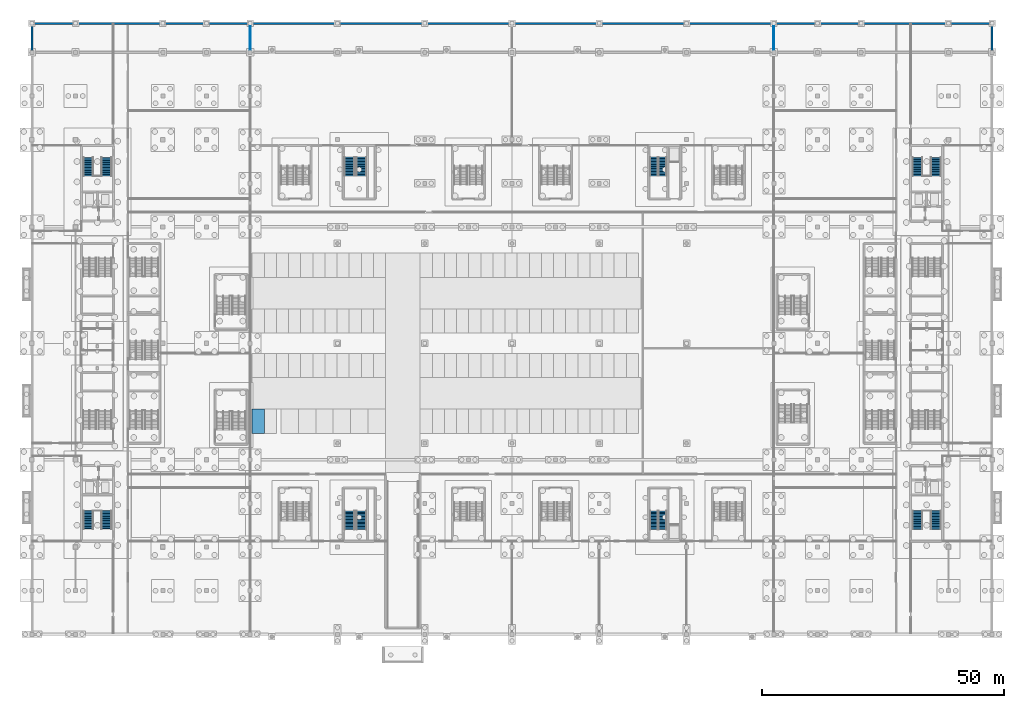
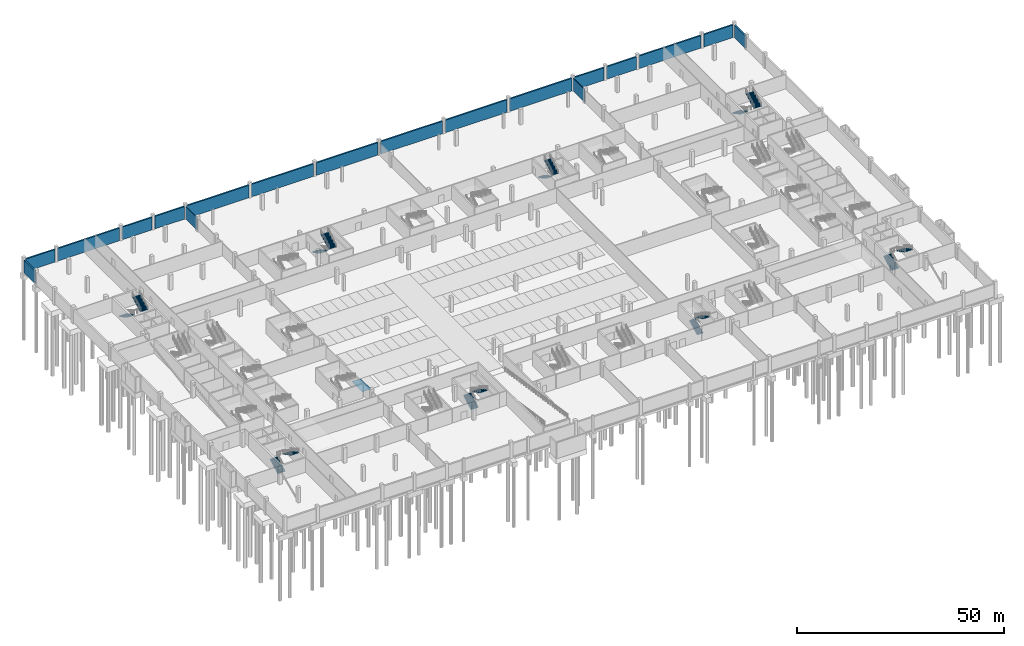
# One storey, part 26 of 46: 18 walls, 16 stair flights, 1 discrete accessory, 8 elements without a shape of their own.
"""IFC4 building model written with IfcOpenShell, lengths in metres."""

from ifc_helpers import new_model, si_unit, direction, frame, frame_2d, origin, origin_2d, place, context, subcontext, project, spatial, polyline, rectangle, outline, extrude, material, layer, layer_set, type_object, element, aggregate, save


model = new_model("IFC4")

# Units and contexts
model_context = context("Model", 3, precision=1e-05, world=origin(), true_north=direction((0.0, 1.0)))
body_context = subcontext(model_context, "Body", "Model", "MODEL_VIEW")
ifc_project = project(units=[si_unit("LENGTHUNIT", "METRE"), si_unit("AREAUNIT", "SQUARE_METRE"), si_unit("VOLUMEUNIT", "CUBIC_METRE"), si_unit("PLANEANGLEUNIT", "RADIAN"), si_unit("MASSUNIT", "GRAM", prefix="KILO")], contexts=[model_context])

# Site, building, storey
site_placement = place(None, origin())
site = spatial("IfcSite", under=ifc_project, at=site_placement, CompositionType="ELEMENT")
building_placement = place(site_placement, origin())
building = spatial("IfcBuilding", under=site, at=building_placement, Name="Kisiwana Market Hall", CompositionType="ELEMENT")
storey_placement = place(building_placement, frame((0.0, 0.0, -4.5)))
storey = spatial("IfcBuildingStorey", under=building, at=storey_placement, Name="B1", CompositionType="ELEMENT", Elevation=-4.5)

# Walls
ifc_material_1 = material(Name="Concrete C40/50", Category="concrete")
ifc_layer_1 = layer(ifc_material_1, 0.360107421875, Name="Waterproofed RC retaining wall")
ifc_material_2 = material(Name="Mineral wool insulation")
ifc_layer_2 = layer(ifc_material_2, 0.06005859375, Name="XPS drainage protection board")
ifc_layer_set_1 = layer_set([ifc_layer_1, ifc_layer_2], Name="WL-B1-RET-420")
wall_type_1 = type_object("IfcWallType", Name="WL-B1-RET-420", PredefinedType="STANDARD", material=ifc_layer_set_1)
wall_1_placement = place(storey_placement, frame((0.39208984375, 126.0, 0.0), z_axis=(0.0, 0.0, 1.0), x_axis=(1.0, 0.0, 0.0)))
element("IfcWall", 1, at=wall_1_placement, inside=storey, type_object=wall_type_1, Name="Exterior wall W-0169", PredefinedType="STANDARD", context=body_context, shape_type="SweptSolid", body=[
    extrude(rectangle(XDim=8.2158203125, YDim=0.419921875, at=frame_2d((4.10791015625, 0.0))), origin(), (0.0, 0.0, 1.0), 3.699951171875),
])
wall_2_placement = place(storey_placement, frame((9.39208984375, 126.0, 0.0), z_axis=(0.0, 0.0, 1.0), x_axis=(1.0, 0.0, 0.0)))
element("IfcWall", 2, at=wall_2_placement, inside=storey, type_object=wall_type_1, Name="Exterior wall W-0170", PredefinedType="STANDARD", context=body_context, shape_type="SweptSolid", body=[
    extrude(rectangle(XDim=17.2158203125, YDim=0.419921875, at=frame_2d((8.60791015625, 0.0))), origin(), (0.0, 0.0, 1.0), 3.699951171875),
])
for number, where, z_axis, x_axis, name in (
    (3, (27.39208984375, 126.0, 0.0), (0.0, 0.0, 1.0), (1.0, 0.0, 0.0), "Exterior wall W-0171"),
    (4, (36.39208984375, 126.0, 0.0), (0.0, 0.0, 1.0), (1.0, 0.0, 0.0), "Exterior wall W-0172"),
):
    element("IfcWall", number, at=place(storey_placement, frame(where, z_axis=z_axis, x_axis=x_axis)), inside=storey, type_object=wall_type_1, Name=name, PredefinedType="STANDARD", context=body_context, shape_type="SweptSolid", body=[
        extrude(rectangle(XDim=8.2158203125, YDim=0.419921875, at=frame_2d((4.10791015625, 0.0))), origin(), (0.0, 0.0, 1.0), 3.699951171875),
    ])
for number, where, z_axis, x_axis, name in (
    (5, (45.39208984375, 126.0, 0.0), (0.0, 0.0, 1.0), (1.0, 0.0, 0.0), "Exterior wall W-0173"),
    (6, (63.39208984375, 126.0, 0.0), (0.0, 0.0, 1.0), (1.0, 0.0, 0.0), "Exterior wall W-0174"),
    (7, (81.39208984375, 126.0, 0.0), (0.0, 0.0, 1.0), (1.0, 0.0, 0.0), "Exterior wall W-0175"),
    (8, (99.39208984375, 126.0, 0.0), (0.0, 0.0, 1.0), (1.0, 0.0, 0.0), "Exterior wall W-0176"),
    (9, (117.39208984375, 126.0, 0.0), (0.0, 0.0, 1.0), (1.0, 0.0, 0.0), "Exterior wall W-0177"),
    (10, (135.39208984375, 126.0, 0.0), (0.0, 0.0, 1.0), (1.0, 0.0, 0.0), "Exterior wall W-0178"),
):
    element("IfcWall", number, at=place(storey_placement, frame(where, z_axis=z_axis, x_axis=x_axis)), inside=storey, type_object=wall_type_1, Name=name, PredefinedType="STANDARD", context=body_context, shape_type="SweptSolid", body=[
        extrude(rectangle(XDim=17.2158203125, YDim=0.419921875, at=frame_2d((8.60791015625, 0.0))), origin(), (0.0, 0.0, 1.0), 3.699951171875),
    ])
for number, where, z_axis, x_axis, name in (
    (11, (153.39208984375, 126.0, 0.0), (0.0, 0.0, 1.0), (1.0, 0.0, 0.0), "Exterior wall W-0179"),
    (12, (162.39208984375, 126.0, 0.0), (0.0, 0.0, 1.0), (1.0, 0.0, 0.0), "Exterior wall W-0180"),
):
    element("IfcWall", number, at=place(storey_placement, frame(where, z_axis=z_axis, x_axis=x_axis)), inside=storey, type_object=wall_type_1, Name=name, PredefinedType="STANDARD", context=body_context, shape_type="SweptSolid", body=[
        extrude(rectangle(XDim=8.2158203125, YDim=0.419921875, at=frame_2d((4.10791015625, 0.0))), origin(), (0.0, 0.0, 1.0), 3.699951171875),
    ])
wall_3_placement = place(storey_placement, frame((171.39208984375, 126.0, 0.0), z_axis=(0.0, 0.0, 1.0), x_axis=(1.0, 0.0, 0.0)))
element("IfcWall", 13, at=wall_3_placement, inside=storey, type_object=wall_type_1, Name="Exterior wall W-0181", PredefinedType="STANDARD", context=body_context, shape_type="SweptSolid", body=[
    extrude(rectangle(XDim=17.2158203125, YDim=0.419921875, at=frame_2d((8.60791015625, 0.0))), origin(), (0.0, 0.0, 1.0), 3.699951171875),
])
wall_4_placement = place(storey_placement, frame((189.39208984375, 126.0, 0.0), z_axis=(0.0, 0.0, 1.0), x_axis=(1.0, 0.0, 0.0)))
element("IfcWall", 14, at=wall_4_placement, inside=storey, type_object=wall_type_1, Name="Exterior wall W-0182", PredefinedType="STANDARD", context=body_context, shape_type="SweptSolid", body=[
    extrude(rectangle(XDim=8.2158203125, YDim=0.419921875, at=frame_2d((4.10791015625, 0.0))), origin(), (0.0, 0.0, 1.0), 3.699951171875),
])
for number, where, z_axis, x_axis, name in (
    (15, (0.0, 120.39208984375, 0.0), (0.0, 0.0, 1.0), (0.0, 1.0, 0.0), "Exterior wall W-0191"),
    (16, (198.0, 120.39208984375, 0.0), (0.0, 0.0, 1.0), (0.0, 1.0, 0.0), "Exterior wall W-0200"),
):
    element("IfcWall", number, at=place(storey_placement, frame(where, z_axis=z_axis, x_axis=x_axis)), inside=storey, type_object=wall_type_1, Name=name, PredefinedType="STANDARD", context=body_context, shape_type="SweptSolid", body=[
        extrude(rectangle(XDim=5.2158203125, YDim=0.419921875, at=frame_2d((2.60791015625, 0.0))), origin(), (0.0, 0.0, 1.0), 3.699951171875),
    ])
ifc_material_3 = material(Name="Masonry blockwork", Category="masonry")
ifc_layer_3 = layer(ifc_material_3, 0.169921875, Name="Protected corridor partition")
ifc_layer_set_2 = layer_set([ifc_layer_3], Name="WL-CORR-170")
wall_type_2 = type_object("IfcWallType", Name="WL-CORR-170", PredefinedType="PARTITIONING", material=ifc_layer_set_2)
for number, where, z_axis, x_axis, name in (
    (17, (45.0, 120.219970703125, 0.0), (0.0, 0.0, 1.0), (0.0, 1.0, 0.0), "Interior partition W-0236"),
    (18, (153.0, 120.219970703125, 0.0), (0.0, 0.0, 1.0), (0.0, 1.0, 0.0), "Interior partition W-0268"),
):
    element("IfcWall", number, at=place(storey_placement, frame(where, z_axis=z_axis, x_axis=x_axis)), inside=storey, type_object=wall_type_2, Name=name, PredefinedType="PARTITIONING", context=body_context, shape_type="SweptSolid", body=[
        extrude(rectangle(XDim=5.56005859375, YDim=0.169921875, at=frame_2d((2.780029296875, 0.0))), origin(), (0.0, 0.0, 1.0), 3.708984375),
    ])

# Stair, stair flights
ifc_material_4 = material(Name="Concrete C32/40", Category="concrete")
stair_type = type_object("IfcStairType", Name="ST-POD-4500", PredefinedType="TWO_STRAIGHT_RUN_STAIR", material=ifc_material_4)
stair_1_placement = place(storey_placement, origin())
stair_1 = element("IfcStair", 19, at=stair_1_placement, inside=storey, type_object=stair_type, Name="Escape stair ST-W2-B1", PredefinedType="TWO_STRAIGHT_RUN_STAIR")
ifc_material_5 = material(Name="Concrete C32/40", Category="concrete")
stair_flight_type = type_object("IfcStairFlightType", Name="SF-POD-4500", PredefinedType="STRAIGHT", material=ifc_material_5)
stair_flight_1_placement = place(storey_placement, frame((11.625, 21.674560546875, 0.0), z_axis=(0.0, 0.0, 1.0), x_axis=(0.0, 1.0, 0.0)))
stair_flight_1 = element("IfcStairFlight", 20, at=stair_flight_1_placement, type_object=stair_flight_type, Name="ST-W2-B1 flight 1", NumberOfRisers=14, NumberOfTreads=13, PredefinedType="STRAIGHT", RiserHeight=0.160714, TreadLength=0.295, context=body_context, shape_type="SweptSolid", body=[
    extrude(outline(polyline([(0.0, 0.0), (0.0, 0.16064453125), (0.294921875, 0.16064453125), (0.294921875, 0.321533203125), (0.590087890625, 0.321533203125), (0.590087890625, 0.482177734375), (0.885009765625, 0.482177734375), (0.885009765625, 0.642822265625), (1.179931640625, 0.642822265625), (1.179931640625, 0.803466796875), (1.47509765625, 0.803466796875), (1.47509765625, 0.96435546875), (1.77001953125, 0.96435546875), (1.77001953125, 1.125), (2.06494140625, 1.125), (2.06494140625, 1.28564453125), (2.360107421875, 1.28564453125), (2.360107421875, 1.446533203125), (2.655029296875, 1.446533203125), (2.655029296875, 1.607177734375), (2.949951171875, 1.607177734375), (2.949951171875, 1.767822265625), (3.2451171875, 1.767822265625), (3.2451171875, 1.928466796875), (3.5400390625, 1.928466796875), (3.5400390625, 2.08935546875), (3.8349609375, 2.08935546875), (3.8349609375, 2.25), (3.8349609375, 1.88427734375), (0.376220703125, 0.0), (0.0, 0.0)])), frame((0.0, 1.050048828125, 0.0), z_axis=(0.0, -1.0, 0.0), x_axis=(1.0, 0.0, 0.0)), (0.0, 0.0, 1.0), 2.10009765625),
])
stair_flight_2_placement = place(storey_placement, frame((15.375, 25.509521484375, 2.25), z_axis=(0.0, 0.0, 1.0), x_axis=(0.0, -1.0, 0.0)))
stair_flight_2 = element("IfcStairFlight", 21, at=stair_flight_2_placement, type_object=stair_flight_type, Name="ST-W2-B1 flight 2", NumberOfRisers=14, NumberOfTreads=13, PredefinedType="STRAIGHT", RiserHeight=0.160714, TreadLength=0.295, context=body_context, shape_type="SweptSolid", body=[
    extrude(outline(polyline([(0.0, 0.0), (0.0, 0.16064453125), (0.294921875, 0.16064453125), (0.294921875, 0.321533203125), (0.590087890625, 0.321533203125), (0.590087890625, 0.482177734375), (0.885009765625, 0.482177734375), (0.885009765625, 0.642822265625), (1.179931640625, 0.642822265625), (1.179931640625, 0.803466796875), (1.47509765625, 0.803466796875), (1.47509765625, 0.96435546875), (1.77001953125, 0.96435546875), (1.77001953125, 1.125), (2.06494140625, 1.125), (2.06494140625, 1.28564453125), (2.360107421875, 1.28564453125), (2.360107421875, 1.446533203125), (2.655029296875, 1.446533203125), (2.655029296875, 1.607177734375), (2.949951171875, 1.607177734375), (2.949951171875, 1.767822265625), (3.2451171875, 1.767822265625), (3.2451171875, 1.928466796875), (3.5400390625, 1.928466796875), (3.5400390625, 2.08935546875), (3.8349609375, 2.08935546875), (3.8349609375, 2.25), (3.8349609375, 1.88427734375), (0.376220703125, 0.0), (0.0, 0.0)])), frame((0.0, 1.050048828125, 0.0), z_axis=(0.0, -1.0, 0.0), x_axis=(1.0, 0.0, 0.0)), (0.0, 0.0, 1.0), 2.10009765625),
])
aggregate(stair_1, [stair_flight_1, stair_flight_2])

stair_2_placement = place(storey_placement, origin())
stair_2 = element("IfcStair", 22, at=stair_2_placement, inside=storey, type_object=stair_type, Name="Escape stair ST-W1-B1", PredefinedType="TWO_STRAIGHT_RUN_STAIR")
stair_flight_3_placement = place(storey_placement, frame((11.625, 98.325439453125, 0.0), z_axis=(0.0, 0.0, 1.0), x_axis=(0.0, -1.0, 0.0)))
stair_flight_3 = element("IfcStairFlight", 23, at=stair_flight_3_placement, type_object=stair_flight_type, Name="ST-W1-B1 flight 1", NumberOfRisers=14, NumberOfTreads=13, PredefinedType="STRAIGHT", RiserHeight=0.160714, TreadLength=0.295, context=body_context, shape_type="SweptSolid", body=[
    extrude(outline(polyline([(0.0, 0.0), (0.0, 0.16064453125), (0.294921875, 0.16064453125), (0.294921875, 0.321533203125), (0.590087890625, 0.321533203125), (0.590087890625, 0.482177734375), (0.885009765625, 0.482177734375), (0.885009765625, 0.642822265625), (1.179931640625, 0.642822265625), (1.179931640625, 0.803466796875), (1.47509765625, 0.803466796875), (1.47509765625, 0.96435546875), (1.77001953125, 0.96435546875), (1.77001953125, 1.125), (2.06494140625, 1.125), (2.06494140625, 1.28564453125), (2.360107421875, 1.28564453125), (2.360107421875, 1.446533203125), (2.655029296875, 1.446533203125), (2.655029296875, 1.607177734375), (2.949951171875, 1.607177734375), (2.949951171875, 1.767822265625), (3.2451171875, 1.767822265625), (3.2451171875, 1.928466796875), (3.5400390625, 1.928466796875), (3.5400390625, 2.08935546875), (3.8349609375, 2.08935546875), (3.8349609375, 2.25), (3.8349609375, 1.88427734375), (0.376220703125, 0.0), (0.0, 0.0)])), frame((0.0, 1.050048828125, 0.0), z_axis=(0.0, -1.0, 0.0), x_axis=(1.0, 0.0, 0.0)), (0.0, 0.0, 1.0), 2.10009765625),
])
stair_flight_4_placement = place(storey_placement, frame((15.375, 94.490478515625, 2.25), z_axis=(0.0, 0.0, 1.0), x_axis=(0.0, 1.0, 0.0)))
stair_flight_4 = element("IfcStairFlight", 24, at=stair_flight_4_placement, type_object=stair_flight_type, Name="ST-W1-B1 flight 2", NumberOfRisers=14, NumberOfTreads=13, PredefinedType="STRAIGHT", RiserHeight=0.160714, TreadLength=0.295, context=body_context, shape_type="SweptSolid", body=[
    extrude(outline(polyline([(0.0, 0.0), (0.0, 0.16064453125), (0.294921875, 0.16064453125), (0.294921875, 0.321533203125), (0.590087890625, 0.321533203125), (0.590087890625, 0.482177734375), (0.885009765625, 0.482177734375), (0.885009765625, 0.642822265625), (1.179931640625, 0.642822265625), (1.179931640625, 0.803466796875), (1.47509765625, 0.803466796875), (1.47509765625, 0.96435546875), (1.77001953125, 0.96435546875), (1.77001953125, 1.125), (2.06494140625, 1.125), (2.06494140625, 1.28564453125), (2.360107421875, 1.28564453125), (2.360107421875, 1.446533203125), (2.655029296875, 1.446533203125), (2.655029296875, 1.607177734375), (2.949951171875, 1.607177734375), (2.949951171875, 1.767822265625), (3.2451171875, 1.767822265625), (3.2451171875, 1.928466796875), (3.5400390625, 1.928466796875), (3.5400390625, 2.08935546875), (3.8349609375, 2.08935546875), (3.8349609375, 2.25), (3.8349609375, 1.88427734375), (0.376220703125, 0.0), (0.0, 0.0)])), frame((0.0, 1.050048828125, 0.0), z_axis=(0.0, -1.0, 0.0), x_axis=(1.0, 0.0, 0.0)), (0.0, 0.0, 1.0), 2.10009765625),
])
aggregate(stair_2, [stair_flight_3, stair_flight_4])

stair_3_placement = place(storey_placement, origin())
stair_3 = element("IfcStair", 25, at=stair_3_placement, inside=storey, type_object=stair_type, Name="Escape stair ST-E2-B1", PredefinedType="TWO_STRAIGHT_RUN_STAIR")
stair_flight_5_placement = place(storey_placement, frame((182.60009765625, 21.6494140625, 0.0), z_axis=(0.0, 0.0, 1.0), x_axis=(0.0, 1.0, 0.0)))
stair_flight_5 = element("IfcStairFlight", 26, at=stair_flight_5_placement, type_object=stair_flight_type, Name="ST-E2-B1 flight 1", NumberOfRisers=14, NumberOfTreads=13, PredefinedType="STRAIGHT", RiserHeight=0.160714, TreadLength=0.295, context=body_context, shape_type="SweptSolid", body=[
    extrude(outline(polyline([(0.0, 0.0), (0.0, 0.16064453125), (0.294921875, 0.16064453125), (0.294921875, 0.321533203125), (0.590087890625, 0.321533203125), (0.590087890625, 0.482177734375), (0.885009765625, 0.482177734375), (0.885009765625, 0.642822265625), (1.179931640625, 0.642822265625), (1.179931640625, 0.803466796875), (1.47509765625, 0.803466796875), (1.47509765625, 0.96435546875), (1.77001953125, 0.96435546875), (1.77001953125, 1.125), (2.06494140625, 1.125), (2.06494140625, 1.28564453125), (2.360107421875, 1.28564453125), (2.360107421875, 1.446533203125), (2.655029296875, 1.446533203125), (2.655029296875, 1.607177734375), (2.949951171875, 1.607177734375), (2.949951171875, 1.767822265625), (3.2451171875, 1.767822265625), (3.2451171875, 1.928466796875), (3.5400390625, 1.928466796875), (3.5400390625, 2.08935546875), (3.8349609375, 2.08935546875), (3.8349609375, 2.25), (3.8349609375, 1.88427734375), (0.376220703125, 0.0), (0.0, 0.0)])), frame((0.0, 1.050048828125, 0.0), z_axis=(0.0, -1.0, 0.0), x_axis=(1.0, 0.0, 0.0)), (0.0, 0.0, 1.0), 2.10009765625),
])
stair_flight_6_placement = place(storey_placement, frame((186.39990234375, 25.484619140625, 2.25), z_axis=(0.0, 0.0, 1.0), x_axis=(0.0, -1.0, 0.0)))
stair_flight_6 = element("IfcStairFlight", 27, at=stair_flight_6_placement, type_object=stair_flight_type, Name="ST-E2-B1 flight 2", NumberOfRisers=14, NumberOfTreads=13, PredefinedType="STRAIGHT", RiserHeight=0.160714, TreadLength=0.295, context=body_context, shape_type="SweptSolid", body=[
    extrude(outline(polyline([(0.0, 0.0), (0.0, 0.16064453125), (0.294921875, 0.16064453125), (0.294921875, 0.321533203125), (0.590087890625, 0.321533203125), (0.590087890625, 0.482177734375), (0.885009765625, 0.482177734375), (0.885009765625, 0.642822265625), (1.179931640625, 0.642822265625), (1.179931640625, 0.803466796875), (1.47509765625, 0.803466796875), (1.47509765625, 0.96435546875), (1.77001953125, 0.96435546875), (1.77001953125, 1.125), (2.06494140625, 1.125), (2.06494140625, 1.28564453125), (2.360107421875, 1.28564453125), (2.360107421875, 1.446533203125), (2.655029296875, 1.446533203125), (2.655029296875, 1.607177734375), (2.949951171875, 1.607177734375), (2.949951171875, 1.767822265625), (3.2451171875, 1.767822265625), (3.2451171875, 1.928466796875), (3.5400390625, 1.928466796875), (3.5400390625, 2.08935546875), (3.8349609375, 2.08935546875), (3.8349609375, 2.25), (3.8349609375, 1.88427734375), (0.376220703125, 0.0), (0.0, 0.0)])), frame((0.0, 1.050048828125, 0.0), z_axis=(0.0, -1.0, 0.0), x_axis=(1.0, 0.0, 0.0)), (0.0, 0.0, 1.0), 2.10009765625),
])
aggregate(stair_3, [stair_flight_5, stair_flight_6])

stair_4_placement = place(storey_placement, origin())
stair_4 = element("IfcStair", 28, at=stair_4_placement, inside=storey, type_object=stair_type, Name="Escape stair ST-E1-B1", PredefinedType="TWO_STRAIGHT_RUN_STAIR")
stair_flight_7_placement = place(storey_placement, frame((182.60009765625, 98.3505859375, 0.0), z_axis=(0.0, 0.0, 1.0), x_axis=(0.0, -1.0, 0.0)))
stair_flight_7 = element("IfcStairFlight", 29, at=stair_flight_7_placement, type_object=stair_flight_type, Name="ST-E1-B1 flight 1", NumberOfRisers=14, NumberOfTreads=13, PredefinedType="STRAIGHT", RiserHeight=0.160714, TreadLength=0.295, context=body_context, shape_type="SweptSolid", body=[
    extrude(outline(polyline([(0.0, 0.0), (0.0, 0.16064453125), (0.294921875, 0.16064453125), (0.294921875, 0.321533203125), (0.590087890625, 0.321533203125), (0.590087890625, 0.482177734375), (0.885009765625, 0.482177734375), (0.885009765625, 0.642822265625), (1.179931640625, 0.642822265625), (1.179931640625, 0.803466796875), (1.47509765625, 0.803466796875), (1.47509765625, 0.96435546875), (1.77001953125, 0.96435546875), (1.77001953125, 1.125), (2.06494140625, 1.125), (2.06494140625, 1.28564453125), (2.360107421875, 1.28564453125), (2.360107421875, 1.446533203125), (2.655029296875, 1.446533203125), (2.655029296875, 1.607177734375), (2.949951171875, 1.607177734375), (2.949951171875, 1.767822265625), (3.2451171875, 1.767822265625), (3.2451171875, 1.928466796875), (3.5400390625, 1.928466796875), (3.5400390625, 2.08935546875), (3.8349609375, 2.08935546875), (3.8349609375, 2.25), (3.8349609375, 1.88427734375), (0.376220703125, 0.0), (0.0, 0.0)])), frame((0.0, 1.050048828125, 0.0), z_axis=(0.0, -1.0, 0.0), x_axis=(1.0, 0.0, 0.0)), (0.0, 0.0, 1.0), 2.10009765625),
])
stair_flight_8_placement = place(storey_placement, frame((186.39990234375, 94.515380859375, 2.25), z_axis=(0.0, 0.0, 1.0), x_axis=(0.0, 1.0, 0.0)))
stair_flight_8 = element("IfcStairFlight", 30, at=stair_flight_8_placement, type_object=stair_flight_type, Name="ST-E1-B1 flight 2", NumberOfRisers=14, NumberOfTreads=13, PredefinedType="STRAIGHT", RiserHeight=0.160714, TreadLength=0.295, context=body_context, shape_type="SweptSolid", body=[
    extrude(outline(polyline([(0.0, 0.0), (0.0, 0.16064453125), (0.294921875, 0.16064453125), (0.294921875, 0.321533203125), (0.590087890625, 0.321533203125), (0.590087890625, 0.482177734375), (0.885009765625, 0.482177734375), (0.885009765625, 0.642822265625), (1.179931640625, 0.642822265625), (1.179931640625, 0.803466796875), (1.47509765625, 0.803466796875), (1.47509765625, 0.96435546875), (1.77001953125, 0.96435546875), (1.77001953125, 1.125), (2.06494140625, 1.125), (2.06494140625, 1.28564453125), (2.360107421875, 1.28564453125), (2.360107421875, 1.446533203125), (2.655029296875, 1.446533203125), (2.655029296875, 1.607177734375), (2.949951171875, 1.607177734375), (2.949951171875, 1.767822265625), (3.2451171875, 1.767822265625), (3.2451171875, 1.928466796875), (3.5400390625, 1.928466796875), (3.5400390625, 2.08935546875), (3.8349609375, 2.08935546875), (3.8349609375, 2.25), (3.8349609375, 1.88427734375), (0.376220703125, 0.0), (0.0, 0.0)])), frame((0.0, 1.050048828125, 0.0), z_axis=(0.0, -1.0, 0.0), x_axis=(1.0, 0.0, 0.0)), (0.0, 0.0, 1.0), 2.10009765625),
])
aggregate(stair_4, [stair_flight_7, stair_flight_8])

stair_5_placement = place(storey_placement, origin())
stair_5 = element("IfcStair", 31, at=stair_5_placement, inside=storey, type_object=stair_type, Name="Escape stair ST-S1-B1", PredefinedType="TWO_STRAIGHT_RUN_STAIR")
stair_flight_9_placement = place(storey_placement, frame((65.489990234375, 21.62939453125, 0.0), z_axis=(0.0, 0.0, 1.0), x_axis=(0.0, 1.0, 0.0)))
stair_flight_9 = element("IfcStairFlight", 32, at=stair_flight_9_placement, type_object=stair_flight_type, Name="ST-S1-B1 flight 1", NumberOfRisers=14, NumberOfTreads=13, PredefinedType="STRAIGHT", RiserHeight=0.160714, TreadLength=0.295, context=body_context, shape_type="SweptSolid", body=[
    extrude(outline(polyline([(0.0, 0.0), (0.0, 0.16064453125), (0.294921875, 0.16064453125), (0.294921875, 0.321533203125), (0.590087890625, 0.321533203125), (0.590087890625, 0.482177734375), (0.885009765625, 0.482177734375), (0.885009765625, 0.642822265625), (1.179931640625, 0.642822265625), (1.179931640625, 0.803466796875), (1.47509765625, 0.803466796875), (1.47509765625, 0.96435546875), (1.77001953125, 0.96435546875), (1.77001953125, 1.125), (2.06494140625, 1.125), (2.06494140625, 1.28564453125), (2.360107421875, 1.28564453125), (2.360107421875, 1.446533203125), (2.655029296875, 1.446533203125), (2.655029296875, 1.607177734375), (2.949951171875, 1.607177734375), (2.949951171875, 1.767822265625), (3.2451171875, 1.767822265625), (3.2451171875, 1.928466796875), (3.5400390625, 1.928466796875), (3.5400390625, 2.08935546875), (3.8349609375, 2.08935546875), (3.8349609375, 2.25), (3.8349609375, 1.88427734375), (0.376220703125, 0.0), (0.0, 0.0)])), frame((0.0, 1.050048828125, 0.0), z_axis=(0.0, -1.0, 0.0), x_axis=(1.0, 0.0, 0.0)), (0.0, 0.0, 1.0), 2.10009765625),
])
stair_flight_10_placement = place(storey_placement, frame((67.969970703125, 25.464599609375, 2.25), z_axis=(0.0, 0.0, 1.0), x_axis=(0.0, -1.0, 0.0)))
stair_flight_10 = element("IfcStairFlight", 33, at=stair_flight_10_placement, type_object=stair_flight_type, Name="ST-S1-B1 flight 2", NumberOfRisers=14, NumberOfTreads=13, PredefinedType="STRAIGHT", RiserHeight=0.160714, TreadLength=0.295, context=body_context, shape_type="SweptSolid", body=[
    extrude(outline(polyline([(0.0, 0.0), (0.0, 0.16064453125), (0.294921875, 0.16064453125), (0.294921875, 0.321533203125), (0.590087890625, 0.321533203125), (0.590087890625, 0.482177734375), (0.885009765625, 0.482177734375), (0.885009765625, 0.642822265625), (1.179931640625, 0.642822265625), (1.179931640625, 0.803466796875), (1.47509765625, 0.803466796875), (1.47509765625, 0.96435546875), (1.77001953125, 0.96435546875), (1.77001953125, 1.125), (2.06494140625, 1.125), (2.06494140625, 1.28564453125), (2.360107421875, 1.28564453125), (2.360107421875, 1.446533203125), (2.655029296875, 1.446533203125), (2.655029296875, 1.607177734375), (2.949951171875, 1.607177734375), (2.949951171875, 1.767822265625), (3.2451171875, 1.767822265625), (3.2451171875, 1.928466796875), (3.5400390625, 1.928466796875), (3.5400390625, 2.08935546875), (3.8349609375, 2.08935546875), (3.8349609375, 2.25), (3.8349609375, 1.88427734375), (0.376220703125, 0.0), (0.0, 0.0)])), frame((0.0, 1.050048828125, 0.0), z_axis=(0.0, -1.0, 0.0), x_axis=(1.0, 0.0, 0.0)), (0.0, 0.0, 1.0), 2.10009765625),
])
aggregate(stair_5, [stair_flight_9, stair_flight_10])

stair_6_placement = place(storey_placement, origin())
stair_6 = element("IfcStair", 34, at=stair_6_placement, inside=storey, type_object=stair_type, Name="Escape stair ST-S2-B1", PredefinedType="TWO_STRAIGHT_RUN_STAIR")
stair_flight_11_placement = place(storey_placement, frame((128.280029296875, 21.62939453125, 0.0), z_axis=(0.0, 0.0, 1.0), x_axis=(0.0, 1.0, 0.0)))
stair_flight_11 = element("IfcStairFlight", 35, at=stair_flight_11_placement, type_object=stair_flight_type, Name="ST-S2-B1 flight 1", NumberOfRisers=14, NumberOfTreads=13, PredefinedType="STRAIGHT", RiserHeight=0.160714, TreadLength=0.295, context=body_context, shape_type="SweptSolid", body=[
    extrude(outline(polyline([(0.0, 0.0), (0.0, 0.16064453125), (0.294921875, 0.16064453125), (0.294921875, 0.321533203125), (0.590087890625, 0.321533203125), (0.590087890625, 0.482177734375), (0.885009765625, 0.482177734375), (0.885009765625, 0.642822265625), (1.179931640625, 0.642822265625), (1.179931640625, 0.803466796875), (1.47509765625, 0.803466796875), (1.47509765625, 0.96435546875), (1.77001953125, 0.96435546875), (1.77001953125, 1.125), (2.06494140625, 1.125), (2.06494140625, 1.28564453125), (2.360107421875, 1.28564453125), (2.360107421875, 1.446533203125), (2.655029296875, 1.446533203125), (2.655029296875, 1.607177734375), (2.949951171875, 1.607177734375), (2.949951171875, 1.767822265625), (3.2451171875, 1.767822265625), (3.2451171875, 1.928466796875), (3.5400390625, 1.928466796875), (3.5400390625, 2.08935546875), (3.8349609375, 2.08935546875), (3.8349609375, 2.25), (3.8349609375, 1.88427734375), (0.376220703125, 0.0), (0.0, 0.0)])), frame((0.0, 0.83984375, 0.0), z_axis=(0.0, -1.0, 0.0), x_axis=(1.0, 0.0, 0.0)), (0.0, 0.0, 1.0), 1.679931640625),
])
stair_flight_12_placement = place(storey_placement, frame((130.080078125, 25.464599609375, 2.25), z_axis=(0.0, 0.0, 1.0), x_axis=(0.0, -1.0, 0.0)))
stair_flight_12 = element("IfcStairFlight", 36, at=stair_flight_12_placement, type_object=stair_flight_type, Name="ST-S2-B1 flight 2", NumberOfRisers=14, NumberOfTreads=13, PredefinedType="STRAIGHT", RiserHeight=0.160714, TreadLength=0.295, context=body_context, shape_type="SweptSolid", body=[
    extrude(outline(polyline([(0.0, 0.0), (0.0, 0.16064453125), (0.294921875, 0.16064453125), (0.294921875, 0.321533203125), (0.590087890625, 0.321533203125), (0.590087890625, 0.482177734375), (0.885009765625, 0.482177734375), (0.885009765625, 0.642822265625), (1.179931640625, 0.642822265625), (1.179931640625, 0.803466796875), (1.47509765625, 0.803466796875), (1.47509765625, 0.96435546875), (1.77001953125, 0.96435546875), (1.77001953125, 1.125), (2.06494140625, 1.125), (2.06494140625, 1.28564453125), (2.360107421875, 1.28564453125), (2.360107421875, 1.446533203125), (2.655029296875, 1.446533203125), (2.655029296875, 1.607177734375), (2.949951171875, 1.607177734375), (2.949951171875, 1.767822265625), (3.2451171875, 1.767822265625), (3.2451171875, 1.928466796875), (3.5400390625, 1.928466796875), (3.5400390625, 2.08935546875), (3.8349609375, 2.08935546875), (3.8349609375, 2.25), (3.8349609375, 1.88427734375), (0.376220703125, 0.0), (0.0, 0.0)])), frame((0.0, 0.83984375, 0.0), z_axis=(0.0, -1.0, 0.0), x_axis=(1.0, 0.0, 0.0)), (0.0, 0.0, 1.0), 1.679931640625),
])
aggregate(stair_6, [stair_flight_11, stair_flight_12])

stair_7_placement = place(storey_placement, origin())
stair_7 = element("IfcStair", 37, at=stair_7_placement, inside=storey, type_object=stair_type, Name="Escape stair ST-N1-B1", PredefinedType="TWO_STRAIGHT_RUN_STAIR")
stair_flight_13_placement = place(storey_placement, frame((65.469970703125, 98.390380859375, 0.0), z_axis=(0.0, 0.0, 1.0), x_axis=(0.0, -1.0, 0.0)))
stair_flight_13 = element("IfcStairFlight", 38, at=stair_flight_13_placement, type_object=stair_flight_type, Name="ST-N1-B1 flight 1", NumberOfRisers=14, NumberOfTreads=13, PredefinedType="STRAIGHT", RiserHeight=0.160714, TreadLength=0.295, context=body_context, shape_type="SweptSolid", body=[
    extrude(outline(polyline([(0.0, 0.0), (0.0, 0.16064453125), (0.294921875, 0.16064453125), (0.294921875, 0.321533203125), (0.590087890625, 0.321533203125), (0.590087890625, 0.482177734375), (0.885009765625, 0.482177734375), (0.885009765625, 0.642822265625), (1.179931640625, 0.642822265625), (1.179931640625, 0.803466796875), (1.47509765625, 0.803466796875), (1.47509765625, 0.96435546875), (1.77001953125, 0.96435546875), (1.77001953125, 1.125), (2.06494140625, 1.125), (2.06494140625, 1.28564453125), (2.360107421875, 1.28564453125), (2.360107421875, 1.446533203125), (2.655029296875, 1.446533203125), (2.655029296875, 1.607177734375), (2.949951171875, 1.607177734375), (2.949951171875, 1.767822265625), (3.2451171875, 1.767822265625), (3.2451171875, 1.928466796875), (3.5400390625, 1.928466796875), (3.5400390625, 2.08935546875), (3.8349609375, 2.08935546875), (3.8349609375, 2.25), (3.8349609375, 1.88427734375), (0.376220703125, 0.0), (0.0, 0.0)])), frame((0.0, 1.050048828125, 0.0), z_axis=(0.0, -1.0, 0.0), x_axis=(1.0, 0.0, 0.0)), (0.0, 0.0, 1.0), 2.10009765625),
])
stair_flight_14_placement = place(storey_placement, frame((67.949951171875, 94.555419921875, 2.25), z_axis=(0.0, 0.0, 1.0), x_axis=(0.0, 1.0, 0.0)))
stair_flight_14 = element("IfcStairFlight", 39, at=stair_flight_14_placement, type_object=stair_flight_type, Name="ST-N1-B1 flight 2", NumberOfRisers=14, NumberOfTreads=13, PredefinedType="STRAIGHT", RiserHeight=0.160714, TreadLength=0.295, context=body_context, shape_type="SweptSolid", body=[
    extrude(outline(polyline([(0.0, 0.0), (0.0, 0.16064453125), (0.294921875, 0.16064453125), (0.294921875, 0.321533203125), (0.590087890625, 0.321533203125), (0.590087890625, 0.482177734375), (0.885009765625, 0.482177734375), (0.885009765625, 0.642822265625), (1.179931640625, 0.642822265625), (1.179931640625, 0.803466796875), (1.47509765625, 0.803466796875), (1.47509765625, 0.96435546875), (1.77001953125, 0.96435546875), (1.77001953125, 1.125), (2.06494140625, 1.125), (2.06494140625, 1.28564453125), (2.360107421875, 1.28564453125), (2.360107421875, 1.446533203125), (2.655029296875, 1.446533203125), (2.655029296875, 1.607177734375), (2.949951171875, 1.607177734375), (2.949951171875, 1.767822265625), (3.2451171875, 1.767822265625), (3.2451171875, 1.928466796875), (3.5400390625, 1.928466796875), (3.5400390625, 2.08935546875), (3.8349609375, 2.08935546875), (3.8349609375, 2.25), (3.8349609375, 1.88427734375), (0.376220703125, 0.0), (0.0, 0.0)])), frame((0.0, 1.050048828125, 0.0), z_axis=(0.0, -1.0, 0.0), x_axis=(1.0, 0.0, 0.0)), (0.0, 0.0, 1.0), 2.10009765625),
])
aggregate(stair_7, [stair_flight_13, stair_flight_14])

stair_8_placement = place(storey_placement, origin())
stair_8 = element("IfcStair", 40, at=stair_8_placement, inside=storey, type_object=stair_type, Name="Escape stair ST-N2-B1", PredefinedType="TWO_STRAIGHT_RUN_STAIR")
stair_flight_15_placement = place(storey_placement, frame((128.260009765625, 98.390380859375, 0.0), z_axis=(0.0, 0.0, 1.0), x_axis=(0.0, -1.0, 0.0)))
stair_flight_15 = element("IfcStairFlight", 41, at=stair_flight_15_placement, type_object=stair_flight_type, Name="ST-N2-B1 flight 1", NumberOfRisers=14, NumberOfTreads=13, PredefinedType="STRAIGHT", RiserHeight=0.160714, TreadLength=0.295, context=body_context, shape_type="SweptSolid", body=[
    extrude(outline(polyline([(0.0, 0.0), (0.0, 0.16064453125), (0.294921875, 0.16064453125), (0.294921875, 0.321533203125), (0.590087890625, 0.321533203125), (0.590087890625, 0.482177734375), (0.885009765625, 0.482177734375), (0.885009765625, 0.642822265625), (1.179931640625, 0.642822265625), (1.179931640625, 0.803466796875), (1.47509765625, 0.803466796875), (1.47509765625, 0.96435546875), (1.77001953125, 0.96435546875), (1.77001953125, 1.125), (2.06494140625, 1.125), (2.06494140625, 1.28564453125), (2.360107421875, 1.28564453125), (2.360107421875, 1.446533203125), (2.655029296875, 1.446533203125), (2.655029296875, 1.607177734375), (2.949951171875, 1.607177734375), (2.949951171875, 1.767822265625), (3.2451171875, 1.767822265625), (3.2451171875, 1.928466796875), (3.5400390625, 1.928466796875), (3.5400390625, 2.08935546875), (3.8349609375, 2.08935546875), (3.8349609375, 2.25), (3.8349609375, 1.88427734375), (0.376220703125, 0.0), (0.0, 0.0)])), frame((0.0, 0.83984375, 0.0), z_axis=(0.0, -1.0, 0.0), x_axis=(1.0, 0.0, 0.0)), (0.0, 0.0, 1.0), 1.679931640625),
])
stair_flight_16_placement = place(storey_placement, frame((130.06005859375, 94.555419921875, 2.25), z_axis=(0.0, 0.0, 1.0), x_axis=(0.0, 1.0, 0.0)))
stair_flight_16 = element("IfcStairFlight", 42, at=stair_flight_16_placement, type_object=stair_flight_type, Name="ST-N2-B1 flight 2", NumberOfRisers=14, NumberOfTreads=13, PredefinedType="STRAIGHT", RiserHeight=0.160714, TreadLength=0.295, context=body_context, shape_type="SweptSolid", body=[
    extrude(outline(polyline([(0.0, 0.0), (0.0, 0.16064453125), (0.294921875, 0.16064453125), (0.294921875, 0.321533203125), (0.590087890625, 0.321533203125), (0.590087890625, 0.482177734375), (0.885009765625, 0.482177734375), (0.885009765625, 0.642822265625), (1.179931640625, 0.642822265625), (1.179931640625, 0.803466796875), (1.47509765625, 0.803466796875), (1.47509765625, 0.96435546875), (1.77001953125, 0.96435546875), (1.77001953125, 1.125), (2.06494140625, 1.125), (2.06494140625, 1.28564453125), (2.360107421875, 1.28564453125), (2.360107421875, 1.446533203125), (2.655029296875, 1.446533203125), (2.655029296875, 1.607177734375), (2.949951171875, 1.607177734375), (2.949951171875, 1.767822265625), (3.2451171875, 1.767822265625), (3.2451171875, 1.928466796875), (3.5400390625, 1.928466796875), (3.5400390625, 2.08935546875), (3.8349609375, 2.08935546875), (3.8349609375, 2.25), (3.8349609375, 1.88427734375), (0.376220703125, 0.0), (0.0, 0.0)])), frame((0.0, 0.83984375, 0.0), z_axis=(0.0, -1.0, 0.0), x_axis=(1.0, 0.0, 0.0)), (0.0, 0.0, 1.0), 1.679931640625),
])
aggregate(stair_8, [stair_flight_15, stair_flight_16])

# Discrete accessory
ifc_material_6 = material(Name="Road marking paint")
ifc_layer_4 = layer(ifc_material_6, 0.0048828125)
ifc_layer_set_3 = layer_set([ifc_layer_4], Name="ACC-PARK-MARK")
discrete_accessory_type = type_object("IfcDiscreteAccessoryType", Name="ACC-PARK-MARK", PredefinedType="USERDEFINED", material=ifc_layer_set_3)
discrete_accessory_placement = place(storey_placement, frame((46.669921875, 43.91259765625, 0.0), z_axis=(0.0, 0.0, 1.0), x_axis=(1.0, 0.0, 0.0)))
element("IfcDiscreteAccessory", 43, at=discrete_accessory_placement, inside=storey, type_object=discrete_accessory_type, Name="Parking bay marking 001", ObjectType="Parking bay marking", PredefinedType="USERDEFINED", context=body_context, shape_type="SweptSolid", body=[
    extrude(rectangle(XDim=2.5, YDim=5.0, at=origin_2d()), origin(), (0.0, 0.0, 1.0), 0.0048828125),
])

save(model, "model.ifc")
